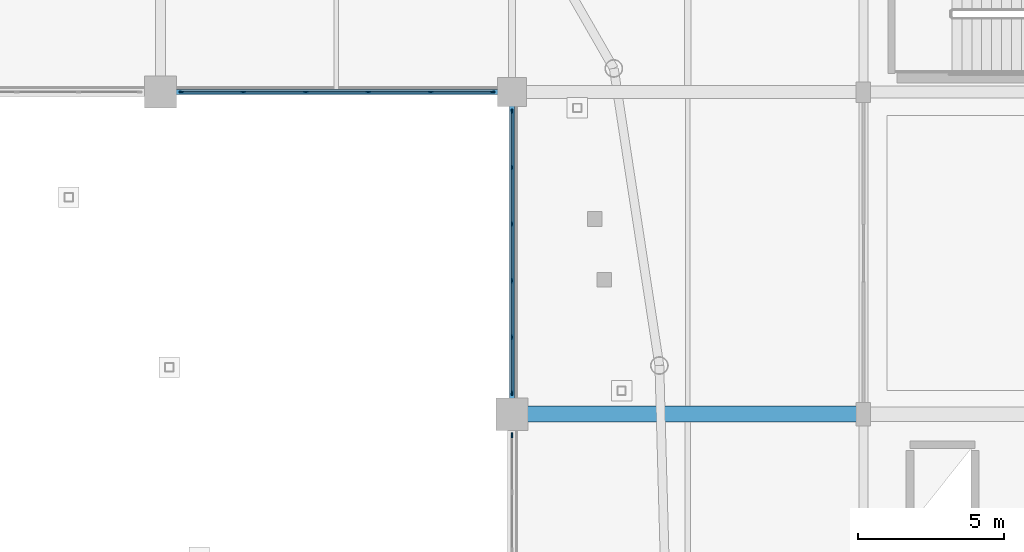
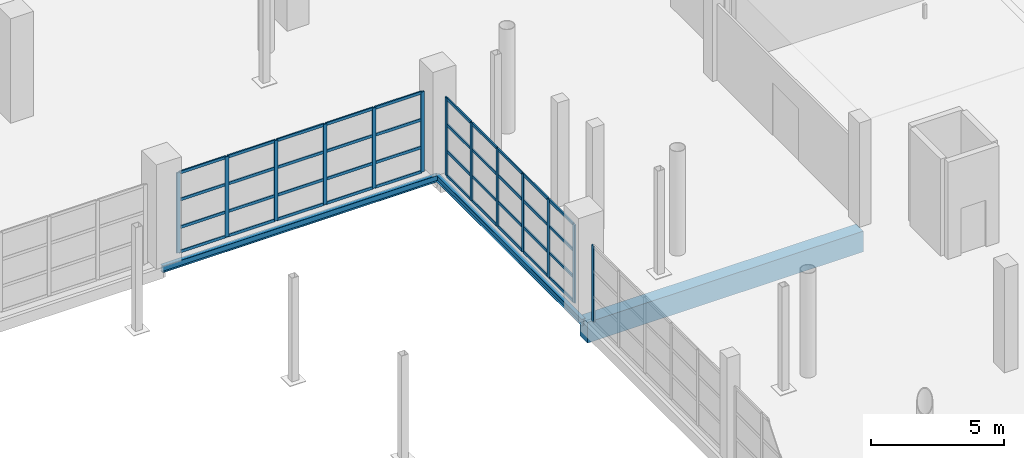
# One storey, part 64 of 143: 53 members, 3 beams, 3 elements without a shape of their own.
"""IFC4 building model written with IfcOpenShell, lengths in metres."""

from ifc_helpers import new_model, si_unit, direction, frame, origin, origin_2d, place, context, subcontext, project, spatial, rectangle, i_section, extrude, material, material_profile, profile_set, type_object, element, aggregate, save


model = new_model("IFC4")

# Units and contexts
model_context = context("Model", 3, precision=1e-05, world=origin(), true_north=direction((0.0, 1.0)))
body_context = subcontext(model_context, "Body", "Model", "MODEL_VIEW")
ifc_project = project(units=[si_unit("LENGTHUNIT", "METRE"), si_unit("AREAUNIT", "SQUARE_METRE"), si_unit("VOLUMEUNIT", "CUBIC_METRE"), si_unit("PLANEANGLEUNIT", "RADIAN"), si_unit("MASSUNIT", "GRAM", prefix="KILO")], contexts=[model_context])

# Site, building, storey
site_placement = place(None, origin())
site = spatial("IfcSite", under=ifc_project, at=site_placement, CompositionType="ELEMENT")
building_placement = place(site_placement, origin())
building = spatial("IfcBuilding", under=site, at=building_placement, Name="Luwafu Chhajja Arena", CompositionType="ELEMENT")
storey_placement = place(building_placement, frame((0.0, 0.0, 5.39990234375)))
storey = spatial("IfcBuildingStorey", under=building, at=storey_placement, Name="L01", CompositionType="ELEMENT", Elevation=5.39990234375)

# Curtain wall, members
ifc_material_1 = material(Name="Anodised bronze aluminium", Category="aluminium")
curtain_wall_type = type_object("IfcCurtainWallType", Name="Bowl Concourse Chord Curtain Wall", PredefinedType="USERDEFINED", material=ifc_material_1)
curtain_wall_1_placement = place(storey_placement, origin())
curtain_wall_1 = element("IfcCurtainWall", 1, at=curtain_wall_1_placement, inside=storey, type_object=curtain_wall_type, Name="L01 Bowl Viewing Curtain Wall CWR-L01-14", ObjectType="CURTAIN WALL", PredefinedType="USERDEFINED")
ifc_material_profile_1 = material_profile(ifc_material_1, rectangle(XDim=0.06005859375, YDim=0.159912109375, at=origin_2d()), Name="CWM 60x160")
ifc_profile_set_1 = profile_set([ifc_material_profile_1], Name="Anodised bronze aluminium")
member_type_1 = type_object("IfcMemberType", Name="Bronze Curtain Wall Mullion 60x160", PredefinedType="MULLION", material=ifc_profile_set_1)
member_1_placement = place(storey_placement, frame((128.719970703125, 77.0, 0.0), z_axis=(0.0, 0.0, 1.0), x_axis=(0.0, 1.0, 0.0)))
member_1 = element("IfcMember", 2, at=member_1_placement, type_object=member_type_1, Name="CW-01 mullion 1", PredefinedType="MULLION", context=body_context, shape_type="SweptSolid", body=[
    extrude(rectangle(XDim=0.06005859375, YDim=0.159912109375, at=origin_2d()), origin(), (0.0, 0.0, 1.0), 3.690185546875),
])
member_2_placement = place(storey_placement, frame((130.823974609375, 77.0, 0.0), z_axis=(0.0, 0.0, 1.0), x_axis=(0.0, 1.0, 0.0)))
member_2 = element("IfcMember", 3, at=member_2_placement, type_object=member_type_1, Name="CW-01 mullion 2", PredefinedType="MULLION", context=body_context, shape_type="SweptSolid", body=[
    extrude(rectangle(XDim=0.06005859375, YDim=0.159912109375, at=origin_2d()), origin(), (0.0, 0.0, 1.0), 3.690185546875),
])
member_3_placement = place(storey_placement, frame((132.9580078125, 77.0, 0.0), z_axis=(0.0, 0.0, 1.0), x_axis=(0.0, 1.0, 0.0)))
member_3 = element("IfcMember", 4, at=member_3_placement, type_object=member_type_1, Name="CW-01 mullion 3", PredefinedType="MULLION", context=body_context, shape_type="SweptSolid", body=[
    extrude(rectangle(XDim=0.06005859375, YDim=0.159912109375, at=origin_2d()), origin(), (0.0, 0.0, 1.0), 3.690185546875),
])
member_4_placement = place(storey_placement, frame((135.092041015625, 77.0, 0.0), z_axis=(0.0, 0.0, 1.0), x_axis=(0.0, 1.0, 0.0)))
member_4 = element("IfcMember", 5, at=member_4_placement, type_object=member_type_1, Name="CW-01 mullion 4", PredefinedType="MULLION", context=body_context, shape_type="SweptSolid", body=[
    extrude(rectangle(XDim=0.06005859375, YDim=0.159912109375, at=origin_2d()), origin(), (0.0, 0.0, 1.0), 3.690185546875),
])
member_5_placement = place(storey_placement, frame((137.22607421875, 77.0, 0.0), z_axis=(0.0, 0.0, 1.0), x_axis=(0.0, 1.0, 0.0)))
member_5 = element("IfcMember", 6, at=member_5_placement, type_object=member_type_1, Name="CW-01 mullion 5", PredefinedType="MULLION", context=body_context, shape_type="SweptSolid", body=[
    extrude(rectangle(XDim=0.06005859375, YDim=0.159912109375, at=origin_2d()), origin(), (0.0, 0.0, 1.0), 3.690185546875),
])
member_6_placement = place(storey_placement, frame((139.330078125, 77.0, 0.0), z_axis=(0.0, 0.0, 1.0), x_axis=(0.0, 1.0, 0.0)))
member_6 = element("IfcMember", 7, at=member_6_placement, type_object=member_type_1, Name="CW-01 mullion 6", PredefinedType="MULLION", context=body_context, shape_type="SweptSolid", body=[
    extrude(rectangle(XDim=0.06005859375, YDim=0.159912109375, at=origin_2d()), origin(), (0.0, 0.0, 1.0), 3.690185546875),
])

# Curtain wall, member
curtain_wall_2_placement = place(storey_placement, origin())
curtain_wall_2 = element("IfcCurtainWall", 8, at=curtain_wall_2_placement, inside=storey, type_object=curtain_wall_type, Name="L01 Bowl Viewing Curtain Wall CWR-L01-23", ObjectType="CURTAIN WALL", PredefinedType="USERDEFINED")
member_7_placement = place(storey_placement, frame((140.0, 65.280029296875, 0.0), z_axis=(0.0, 0.0, 1.0), x_axis=(-1.0, 0.0, 0.0)))
member_7 = element("IfcMember", 9, at=member_7_placement, type_object=member_type_1, Name="CW-01 mullion 6", PredefinedType="MULLION", context=body_context, shape_type="SweptSolid", body=[
    extrude(rectangle(XDim=0.06005859375, YDim=0.159912109375, at=origin_2d()), origin(), (0.0, 0.0, 1.0), 3.489990234375),
])
aggregate(curtain_wall_2, [member_7])

# Curtain wall, members
curtain_wall_3_placement = place(storey_placement, origin())
curtain_wall_3 = element("IfcCurtainWall", 10, at=curtain_wall_3_placement, inside=storey, type_object=curtain_wall_type, Name="L01 Bowl Viewing Curtain Wall CWR-L01-24", ObjectType="CURTAIN WALL", PredefinedType="USERDEFINED")
member_8_placement = place(storey_placement, frame((140.0, 66.719970703125, 0.0), z_axis=(0.0, 0.0, 1.0), x_axis=(-1.0, 0.0, 0.0)))
member_8 = element("IfcMember", 11, at=member_8_placement, type_object=member_type_1, Name="CW-01 mullion 1", PredefinedType="MULLION", context=body_context, shape_type="SweptSolid", body=[
    extrude(rectangle(XDim=0.06005859375, YDim=0.159912109375, at=origin_2d()), origin(), (0.0, 0.0, 1.0), 3.590087890625),
])
member_9_placement = place(storey_placement, frame((140.0, 68.6240234375, 0.0), z_axis=(0.0, 0.0, 1.0), x_axis=(-1.0, 0.0, 0.0)))
member_9 = element("IfcMember", 12, at=member_9_placement, type_object=member_type_1, Name="CW-01 mullion 2", PredefinedType="MULLION", context=body_context, shape_type="SweptSolid", body=[
    extrude(rectangle(XDim=0.06005859375, YDim=0.159912109375, at=origin_2d()), origin(), (0.0, 0.0, 1.0), 3.590087890625),
])
member_10_placement = place(storey_placement, frame((140.0, 70.55810546875, 0.0), z_axis=(0.0, 0.0, 1.0), x_axis=(-1.0, 0.0, 0.0)))
member_10 = element("IfcMember", 13, at=member_10_placement, type_object=member_type_1, Name="CW-01 mullion 3", PredefinedType="MULLION", context=body_context, shape_type="SweptSolid", body=[
    extrude(rectangle(XDim=0.06005859375, YDim=0.159912109375, at=origin_2d()), origin(), (0.0, 0.0, 1.0), 3.590087890625),
])
member_11_placement = place(storey_placement, frame((140.0, 72.491943359375, 0.0), z_axis=(0.0, 0.0, 1.0), x_axis=(-1.0, 0.0, 0.0)))
member_11 = element("IfcMember", 14, at=member_11_placement, type_object=member_type_1, Name="CW-01 mullion 4", PredefinedType="MULLION", context=body_context, shape_type="SweptSolid", body=[
    extrude(rectangle(XDim=0.06005859375, YDim=0.159912109375, at=origin_2d()), origin(), (0.0, 0.0, 1.0), 3.590087890625),
])
member_12_placement = place(storey_placement, frame((140.0, 74.426025390625, 0.0), z_axis=(0.0, 0.0, 1.0), x_axis=(-1.0, 0.0, 0.0)))
member_12 = element("IfcMember", 15, at=member_12_placement, type_object=member_type_1, Name="CW-01 mullion 5", PredefinedType="MULLION", context=body_context, shape_type="SweptSolid", body=[
    extrude(rectangle(XDim=0.06005859375, YDim=0.159912109375, at=origin_2d()), origin(), (0.0, 0.0, 1.0), 3.590087890625),
])
member_13_placement = place(storey_placement, frame((140.0, 76.330078125, 0.0), z_axis=(0.0, 0.0, 1.0), x_axis=(-1.0, 0.0, 0.0)))
member_13 = element("IfcMember", 16, at=member_13_placement, type_object=member_type_1, Name="CW-01 mullion 6", PredefinedType="MULLION", context=body_context, shape_type="SweptSolid", body=[
    extrude(rectangle(XDim=0.06005859375, YDim=0.159912109375, at=origin_2d()), origin(), (0.0, 0.0, 1.0), 3.590087890625),
])

# Member
ifc_material_profile_2 = material_profile(ifc_material_1, rectangle(XDim=0.06005859375, YDim=0.1298828125, at=origin_2d()), Name="CWT 60x130")
ifc_profile_set_2 = profile_set([ifc_material_profile_2], Name="Anodised bronze aluminium")
member_type_2 = type_object("IfcMemberType", Name="Bronze Curtain Wall Transom 60x130", PredefinedType="USERDEFINED", material=ifc_profile_set_2)
member_14_placement = place(storey_placement, frame((128.75, 77.0, 0.030029296875), z_axis=(1.0, 0.0, 0.0), x_axis=(0.0, 1.0, 0.0)))
member_14 = element("IfcMember", 17, at=member_14_placement, type_object=member_type_2, Name="CW-01 transom 1.1", ObjectType="TRANSOM", PredefinedType="USERDEFINED", context=body_context, shape_type="SweptSolid", body=[
    extrude(rectangle(XDim=0.06005859375, YDim=0.1298828125, at=origin_2d()), origin(), (0.0, 0.0, 1.0), 2.0439453125),
])

member_15_placement = place(storey_placement, frame((128.75, 77.0, 1.150146484375), z_axis=(1.0, 0.0, 0.0), x_axis=(0.0, 1.0, 0.0)))
member_15 = element("IfcMember", 18, at=member_15_placement, type_object=member_type_2, Name="CW-01 transom 1.2", ObjectType="TRANSOM", PredefinedType="USERDEFINED", context=body_context, shape_type="SweptSolid", body=[
    extrude(rectangle(XDim=0.06005859375, YDim=0.1298828125, at=origin_2d()), origin(), (0.0, 0.0, 1.0), 2.0439453125),
])

member_16_placement = place(storey_placement, frame((128.75, 77.0, 2.420166015625), z_axis=(1.0, 0.0, 0.0), x_axis=(0.0, 1.0, 0.0)))
member_16 = element("IfcMember", 19, at=member_16_placement, type_object=member_type_2, Name="CW-01 transom 1.3", ObjectType="TRANSOM", PredefinedType="USERDEFINED", context=body_context, shape_type="SweptSolid", body=[
    extrude(rectangle(XDim=0.06005859375, YDim=0.1298828125, at=origin_2d()), origin(), (0.0, 0.0, 1.0), 2.0439453125),
])

member_17_placement = place(storey_placement, frame((128.75, 77.0, 3.66015625), z_axis=(1.0, 0.0, 0.0), x_axis=(0.0, 1.0, 0.0)))
member_17 = element("IfcMember", 20, at=member_17_placement, type_object=member_type_2, Name="CW-01 transom 1.4", ObjectType="TRANSOM", PredefinedType="USERDEFINED", context=body_context, shape_type="SweptSolid", body=[
    extrude(rectangle(XDim=0.06005859375, YDim=0.1298828125, at=origin_2d()), origin(), (0.0, 0.0, 1.0), 2.0439453125),
])

member_18_placement = place(storey_placement, frame((130.85400390625, 77.0, 0.030029296875), z_axis=(1.0, 0.0, 0.0), x_axis=(0.0, 1.0, 0.0)))
member_18 = element("IfcMember", 21, at=member_18_placement, type_object=member_type_2, Name="CW-01 transom 2.1", ObjectType="TRANSOM", PredefinedType="USERDEFINED", context=body_context, shape_type="SweptSolid", body=[
    extrude(rectangle(XDim=0.06005859375, YDim=0.1298828125, at=origin_2d()), origin(), (0.0, 0.0, 1.0), 2.073974609375),
])

member_19_placement = place(storey_placement, frame((130.85400390625, 77.0, 1.150146484375), z_axis=(1.0, 0.0, 0.0), x_axis=(0.0, 1.0, 0.0)))
member_19 = element("IfcMember", 22, at=member_19_placement, type_object=member_type_2, Name="CW-01 transom 2.2", ObjectType="TRANSOM", PredefinedType="USERDEFINED", context=body_context, shape_type="SweptSolid", body=[
    extrude(rectangle(XDim=0.06005859375, YDim=0.1298828125, at=origin_2d()), origin(), (0.0, 0.0, 1.0), 2.073974609375),
])

member_20_placement = place(storey_placement, frame((130.85400390625, 77.0, 2.420166015625), z_axis=(1.0, 0.0, 0.0), x_axis=(0.0, 1.0, 0.0)))
member_20 = element("IfcMember", 23, at=member_20_placement, type_object=member_type_2, Name="CW-01 transom 2.3", ObjectType="TRANSOM", PredefinedType="USERDEFINED", context=body_context, shape_type="SweptSolid", body=[
    extrude(rectangle(XDim=0.06005859375, YDim=0.1298828125, at=origin_2d()), origin(), (0.0, 0.0, 1.0), 2.073974609375),
])

member_21_placement = place(storey_placement, frame((130.85400390625, 77.0, 3.66015625), z_axis=(1.0, 0.0, 0.0), x_axis=(0.0, 1.0, 0.0)))
member_21 = element("IfcMember", 24, at=member_21_placement, type_object=member_type_2, Name="CW-01 transom 2.4", ObjectType="TRANSOM", PredefinedType="USERDEFINED", context=body_context, shape_type="SweptSolid", body=[
    extrude(rectangle(XDim=0.06005859375, YDim=0.1298828125, at=origin_2d()), origin(), (0.0, 0.0, 1.0), 2.073974609375),
])

member_22_placement = place(storey_placement, frame((132.988037109375, 77.0, 0.030029296875), z_axis=(1.0, 0.0, 0.0), x_axis=(0.0, 1.0, 0.0)))
member_22 = element("IfcMember", 25, at=member_22_placement, type_object=member_type_2, Name="CW-01 transom 3.1", ObjectType="TRANSOM", PredefinedType="USERDEFINED", context=body_context, shape_type="SweptSolid", body=[
    extrude(rectangle(XDim=0.06005859375, YDim=0.1298828125, at=origin_2d()), origin(), (0.0, 0.0, 1.0), 2.073974609375),
])

member_23_placement = place(storey_placement, frame((132.988037109375, 77.0, 1.150146484375), z_axis=(1.0, 0.0, 0.0), x_axis=(0.0, 1.0, 0.0)))
member_23 = element("IfcMember", 26, at=member_23_placement, type_object=member_type_2, Name="CW-01 transom 3.2", ObjectType="TRANSOM", PredefinedType="USERDEFINED", context=body_context, shape_type="SweptSolid", body=[
    extrude(rectangle(XDim=0.06005859375, YDim=0.1298828125, at=origin_2d()), origin(), (0.0, 0.0, 1.0), 2.073974609375),
])

member_24_placement = place(storey_placement, frame((132.988037109375, 77.0, 2.420166015625), z_axis=(1.0, 0.0, 0.0), x_axis=(0.0, 1.0, 0.0)))
member_24 = element("IfcMember", 27, at=member_24_placement, type_object=member_type_2, Name="CW-01 transom 3.3", ObjectType="TRANSOM", PredefinedType="USERDEFINED", context=body_context, shape_type="SweptSolid", body=[
    extrude(rectangle(XDim=0.06005859375, YDim=0.1298828125, at=origin_2d()), origin(), (0.0, 0.0, 1.0), 2.073974609375),
])

member_25_placement = place(storey_placement, frame((132.988037109375, 77.0, 3.66015625), z_axis=(1.0, 0.0, 0.0), x_axis=(0.0, 1.0, 0.0)))
member_25 = element("IfcMember", 28, at=member_25_placement, type_object=member_type_2, Name="CW-01 transom 3.4", ObjectType="TRANSOM", PredefinedType="USERDEFINED", context=body_context, shape_type="SweptSolid", body=[
    extrude(rectangle(XDim=0.06005859375, YDim=0.1298828125, at=origin_2d()), origin(), (0.0, 0.0, 1.0), 2.073974609375),
])

member_26_placement = place(storey_placement, frame((135.1220703125, 77.0, 0.030029296875), z_axis=(1.0, 0.0, 0.0), x_axis=(0.0, 1.0, 0.0)))
member_26 = element("IfcMember", 29, at=member_26_placement, type_object=member_type_2, Name="CW-01 transom 4.1", ObjectType="TRANSOM", PredefinedType="USERDEFINED", context=body_context, shape_type="SweptSolid", body=[
    extrude(rectangle(XDim=0.06005859375, YDim=0.1298828125, at=origin_2d()), origin(), (0.0, 0.0, 1.0), 2.073974609375),
])

member_27_placement = place(storey_placement, frame((135.1220703125, 77.0, 1.150146484375), z_axis=(1.0, 0.0, 0.0), x_axis=(0.0, 1.0, 0.0)))
member_27 = element("IfcMember", 30, at=member_27_placement, type_object=member_type_2, Name="CW-01 transom 4.2", ObjectType="TRANSOM", PredefinedType="USERDEFINED", context=body_context, shape_type="SweptSolid", body=[
    extrude(rectangle(XDim=0.06005859375, YDim=0.1298828125, at=origin_2d()), origin(), (0.0, 0.0, 1.0), 2.073974609375),
])

member_28_placement = place(storey_placement, frame((135.1220703125, 77.0, 2.420166015625), z_axis=(1.0, 0.0, 0.0), x_axis=(0.0, 1.0, 0.0)))
member_28 = element("IfcMember", 31, at=member_28_placement, type_object=member_type_2, Name="CW-01 transom 4.3", ObjectType="TRANSOM", PredefinedType="USERDEFINED", context=body_context, shape_type="SweptSolid", body=[
    extrude(rectangle(XDim=0.06005859375, YDim=0.1298828125, at=origin_2d()), origin(), (0.0, 0.0, 1.0), 2.073974609375),
])

member_29_placement = place(storey_placement, frame((135.1220703125, 77.0, 3.66015625), z_axis=(1.0, 0.0, 0.0), x_axis=(0.0, 1.0, 0.0)))
member_29 = element("IfcMember", 32, at=member_29_placement, type_object=member_type_2, Name="CW-01 transom 4.4", ObjectType="TRANSOM", PredefinedType="USERDEFINED", context=body_context, shape_type="SweptSolid", body=[
    extrude(rectangle(XDim=0.06005859375, YDim=0.1298828125, at=origin_2d()), origin(), (0.0, 0.0, 1.0), 2.073974609375),
])

member_30_placement = place(storey_placement, frame((137.256103515625, 77.0, 0.030029296875), z_axis=(1.0, 0.0, 0.0), x_axis=(0.0, 1.0, 0.0)))
member_30 = element("IfcMember", 33, at=member_30_placement, type_object=member_type_2, Name="CW-01 transom 5.1", ObjectType="TRANSOM", PredefinedType="USERDEFINED", context=body_context, shape_type="SweptSolid", body=[
    extrude(rectangle(XDim=0.06005859375, YDim=0.1298828125, at=origin_2d()), origin(), (0.0, 0.0, 1.0), 2.0439453125),
])

member_31_placement = place(storey_placement, frame((137.256103515625, 77.0, 1.150146484375), z_axis=(1.0, 0.0, 0.0), x_axis=(0.0, 1.0, 0.0)))
member_31 = element("IfcMember", 34, at=member_31_placement, type_object=member_type_2, Name="CW-01 transom 5.2", ObjectType="TRANSOM", PredefinedType="USERDEFINED", context=body_context, shape_type="SweptSolid", body=[
    extrude(rectangle(XDim=0.06005859375, YDim=0.1298828125, at=origin_2d()), origin(), (0.0, 0.0, 1.0), 2.0439453125),
])

member_32_placement = place(storey_placement, frame((137.256103515625, 77.0, 2.420166015625), z_axis=(1.0, 0.0, 0.0), x_axis=(0.0, 1.0, 0.0)))
member_32 = element("IfcMember", 35, at=member_32_placement, type_object=member_type_2, Name="CW-01 transom 5.3", ObjectType="TRANSOM", PredefinedType="USERDEFINED", context=body_context, shape_type="SweptSolid", body=[
    extrude(rectangle(XDim=0.06005859375, YDim=0.1298828125, at=origin_2d()), origin(), (0.0, 0.0, 1.0), 2.0439453125),
])

member_33_placement = place(storey_placement, frame((137.256103515625, 77.0, 3.66015625), z_axis=(1.0, 0.0, 0.0), x_axis=(0.0, 1.0, 0.0)))
member_33 = element("IfcMember", 36, at=member_33_placement, type_object=member_type_2, Name="CW-01 transom 5.4", ObjectType="TRANSOM", PredefinedType="USERDEFINED", context=body_context, shape_type="SweptSolid", body=[
    extrude(rectangle(XDim=0.06005859375, YDim=0.1298828125, at=origin_2d()), origin(), (0.0, 0.0, 1.0), 2.0439453125),
])

aggregate(curtain_wall_1, [member_1, member_2, member_3, member_4, member_5, member_6, member_14, member_15, member_16, member_17, member_18, member_19, member_20, member_21, member_22, member_23, member_24, member_25, member_26, member_27, member_28, member_29, member_30, member_31, member_32, member_33])

member_34_placement = place(storey_placement, frame((140.0, 66.75, 0.030029296875), z_axis=(0.0, 1.0, 0.0), x_axis=(-1.0, 0.0, 0.0)))
member_34 = element("IfcMember", 37, at=member_34_placement, type_object=member_type_2, Name="CW-01 transom 1.1", ObjectType="TRANSOM", PredefinedType="USERDEFINED", context=body_context, shape_type="SweptSolid", body=[
    extrude(rectangle(XDim=0.06005859375, YDim=0.1298828125, at=origin_2d()), origin(), (0.0, 0.0, 1.0), 1.843994140625),
])

member_35_placement = place(storey_placement, frame((140.0, 66.75, 1.150146484375), z_axis=(0.0, 1.0, 0.0), x_axis=(-1.0, 0.0, 0.0)))
member_35 = element("IfcMember", 38, at=member_35_placement, type_object=member_type_2, Name="CW-01 transom 1.2", ObjectType="TRANSOM", PredefinedType="USERDEFINED", context=body_context, shape_type="SweptSolid", body=[
    extrude(rectangle(XDim=0.06005859375, YDim=0.1298828125, at=origin_2d()), origin(), (0.0, 0.0, 1.0), 1.843994140625),
])

member_36_placement = place(storey_placement, frame((140.0, 66.75, 2.3701171875), z_axis=(0.0, 1.0, 0.0), x_axis=(-1.0, 0.0, 0.0)))
member_36 = element("IfcMember", 39, at=member_36_placement, type_object=member_type_2, Name="CW-01 transom 1.3", ObjectType="TRANSOM", PredefinedType="USERDEFINED", context=body_context, shape_type="SweptSolid", body=[
    extrude(rectangle(XDim=0.06005859375, YDim=0.1298828125, at=origin_2d()), origin(), (0.0, 0.0, 1.0), 1.843994140625),
])

member_37_placement = place(storey_placement, frame((140.0, 66.75, 3.56005859375), z_axis=(0.0, 1.0, 0.0), x_axis=(-1.0, 0.0, 0.0)))
member_37 = element("IfcMember", 40, at=member_37_placement, type_object=member_type_2, Name="CW-01 transom 1.4", ObjectType="TRANSOM", PredefinedType="USERDEFINED", context=body_context, shape_type="SweptSolid", body=[
    extrude(rectangle(XDim=0.06005859375, YDim=0.1298828125, at=origin_2d()), origin(), (0.0, 0.0, 1.0), 1.843994140625),
])

member_38_placement = place(storey_placement, frame((140.0, 68.654052734375, 0.030029296875), z_axis=(0.0, 1.0, 0.0), x_axis=(-1.0, 0.0, 0.0)))
member_38 = element("IfcMember", 41, at=member_38_placement, type_object=member_type_2, Name="CW-01 transom 2.1", ObjectType="TRANSOM", PredefinedType="USERDEFINED", context=body_context, shape_type="SweptSolid", body=[
    extrude(rectangle(XDim=0.06005859375, YDim=0.1298828125, at=origin_2d()), origin(), (0.0, 0.0, 1.0), 1.8740234375),
])

member_39_placement = place(storey_placement, frame((140.0, 68.654052734375, 1.150146484375), z_axis=(0.0, 1.0, 0.0), x_axis=(-1.0, 0.0, 0.0)))
member_39 = element("IfcMember", 42, at=member_39_placement, type_object=member_type_2, Name="CW-01 transom 2.2", ObjectType="TRANSOM", PredefinedType="USERDEFINED", context=body_context, shape_type="SweptSolid", body=[
    extrude(rectangle(XDim=0.06005859375, YDim=0.1298828125, at=origin_2d()), origin(), (0.0, 0.0, 1.0), 1.8740234375),
])

member_40_placement = place(storey_placement, frame((140.0, 68.654052734375, 2.3701171875), z_axis=(0.0, 1.0, 0.0), x_axis=(-1.0, 0.0, 0.0)))
member_40 = element("IfcMember", 43, at=member_40_placement, type_object=member_type_2, Name="CW-01 transom 2.3", ObjectType="TRANSOM", PredefinedType="USERDEFINED", context=body_context, shape_type="SweptSolid", body=[
    extrude(rectangle(XDim=0.06005859375, YDim=0.1298828125, at=origin_2d()), origin(), (0.0, 0.0, 1.0), 1.8740234375),
])

member_41_placement = place(storey_placement, frame((140.0, 68.654052734375, 3.56005859375), z_axis=(0.0, 1.0, 0.0), x_axis=(-1.0, 0.0, 0.0)))
member_41 = element("IfcMember", 44, at=member_41_placement, type_object=member_type_2, Name="CW-01 transom 2.4", ObjectType="TRANSOM", PredefinedType="USERDEFINED", context=body_context, shape_type="SweptSolid", body=[
    extrude(rectangle(XDim=0.06005859375, YDim=0.1298828125, at=origin_2d()), origin(), (0.0, 0.0, 1.0), 1.8740234375),
])

member_42_placement = place(storey_placement, frame((140.0, 70.587890625, 0.030029296875), z_axis=(0.0, 1.0, 0.0), x_axis=(-1.0, 0.0, 0.0)))
member_42 = element("IfcMember", 45, at=member_42_placement, type_object=member_type_2, Name="CW-01 transom 3.1", ObjectType="TRANSOM", PredefinedType="USERDEFINED", context=body_context, shape_type="SweptSolid", body=[
    extrude(rectangle(XDim=0.06005859375, YDim=0.1298828125, at=origin_2d()), origin(), (0.0, 0.0, 1.0), 1.8740234375),
])

member_43_placement = place(storey_placement, frame((140.0, 70.587890625, 1.150146484375), z_axis=(0.0, 1.0, 0.0), x_axis=(-1.0, 0.0, 0.0)))
member_43 = element("IfcMember", 46, at=member_43_placement, type_object=member_type_2, Name="CW-01 transom 3.2", ObjectType="TRANSOM", PredefinedType="USERDEFINED", context=body_context, shape_type="SweptSolid", body=[
    extrude(rectangle(XDim=0.06005859375, YDim=0.1298828125, at=origin_2d()), origin(), (0.0, 0.0, 1.0), 1.8740234375),
])

member_44_placement = place(storey_placement, frame((140.0, 70.587890625, 2.3701171875), z_axis=(0.0, 1.0, 0.0), x_axis=(-1.0, 0.0, 0.0)))
member_44 = element("IfcMember", 47, at=member_44_placement, type_object=member_type_2, Name="CW-01 transom 3.3", ObjectType="TRANSOM", PredefinedType="USERDEFINED", context=body_context, shape_type="SweptSolid", body=[
    extrude(rectangle(XDim=0.06005859375, YDim=0.1298828125, at=origin_2d()), origin(), (0.0, 0.0, 1.0), 1.8740234375),
])

member_45_placement = place(storey_placement, frame((140.0, 70.587890625, 3.56005859375), z_axis=(0.0, 1.0, 0.0), x_axis=(-1.0, 0.0, 0.0)))
member_45 = element("IfcMember", 48, at=member_45_placement, type_object=member_type_2, Name="CW-01 transom 3.4", ObjectType="TRANSOM", PredefinedType="USERDEFINED", context=body_context, shape_type="SweptSolid", body=[
    extrude(rectangle(XDim=0.06005859375, YDim=0.1298828125, at=origin_2d()), origin(), (0.0, 0.0, 1.0), 1.8740234375),
])

member_46_placement = place(storey_placement, frame((140.0, 72.52197265625, 0.030029296875), z_axis=(0.0, 1.0, 0.0), x_axis=(-1.0, 0.0, 0.0)))
member_46 = element("IfcMember", 49, at=member_46_placement, type_object=member_type_2, Name="CW-01 transom 4.1", ObjectType="TRANSOM", PredefinedType="USERDEFINED", context=body_context, shape_type="SweptSolid", body=[
    extrude(rectangle(XDim=0.06005859375, YDim=0.1298828125, at=origin_2d()), origin(), (0.0, 0.0, 1.0), 1.8740234375),
])

member_47_placement = place(storey_placement, frame((140.0, 72.52197265625, 1.150146484375), z_axis=(0.0, 1.0, 0.0), x_axis=(-1.0, 0.0, 0.0)))
member_47 = element("IfcMember", 50, at=member_47_placement, type_object=member_type_2, Name="CW-01 transom 4.2", ObjectType="TRANSOM", PredefinedType="USERDEFINED", context=body_context, shape_type="SweptSolid", body=[
    extrude(rectangle(XDim=0.06005859375, YDim=0.1298828125, at=origin_2d()), origin(), (0.0, 0.0, 1.0), 1.8740234375),
])

member_48_placement = place(storey_placement, frame((140.0, 72.52197265625, 2.3701171875), z_axis=(0.0, 1.0, 0.0), x_axis=(-1.0, 0.0, 0.0)))
member_48 = element("IfcMember", 51, at=member_48_placement, type_object=member_type_2, Name="CW-01 transom 4.3", ObjectType="TRANSOM", PredefinedType="USERDEFINED", context=body_context, shape_type="SweptSolid", body=[
    extrude(rectangle(XDim=0.06005859375, YDim=0.1298828125, at=origin_2d()), origin(), (0.0, 0.0, 1.0), 1.8740234375),
])

member_49_placement = place(storey_placement, frame((140.0, 72.52197265625, 3.56005859375), z_axis=(0.0, 1.0, 0.0), x_axis=(-1.0, 0.0, 0.0)))
member_49 = element("IfcMember", 52, at=member_49_placement, type_object=member_type_2, Name="CW-01 transom 4.4", ObjectType="TRANSOM", PredefinedType="USERDEFINED", context=body_context, shape_type="SweptSolid", body=[
    extrude(rectangle(XDim=0.06005859375, YDim=0.1298828125, at=origin_2d()), origin(), (0.0, 0.0, 1.0), 1.8740234375),
])

member_50_placement = place(storey_placement, frame((140.0, 74.4560546875, 0.030029296875), z_axis=(0.0, 1.0, 0.0), x_axis=(-1.0, 0.0, 0.0)))
member_50 = element("IfcMember", 53, at=member_50_placement, type_object=member_type_2, Name="CW-01 transom 5.1", ObjectType="TRANSOM", PredefinedType="USERDEFINED", context=body_context, shape_type="SweptSolid", body=[
    extrude(rectangle(XDim=0.06005859375, YDim=0.1298828125, at=origin_2d()), origin(), (0.0, 0.0, 1.0), 1.843994140625),
])

member_51_placement = place(storey_placement, frame((140.0, 74.4560546875, 1.150146484375), z_axis=(0.0, 1.0, 0.0), x_axis=(-1.0, 0.0, 0.0)))
member_51 = element("IfcMember", 54, at=member_51_placement, type_object=member_type_2, Name="CW-01 transom 5.2", ObjectType="TRANSOM", PredefinedType="USERDEFINED", context=body_context, shape_type="SweptSolid", body=[
    extrude(rectangle(XDim=0.06005859375, YDim=0.1298828125, at=origin_2d()), origin(), (0.0, 0.0, 1.0), 1.843994140625),
])

member_52_placement = place(storey_placement, frame((140.0, 74.4560546875, 2.3701171875), z_axis=(0.0, 1.0, 0.0), x_axis=(-1.0, 0.0, 0.0)))
member_52 = element("IfcMember", 55, at=member_52_placement, type_object=member_type_2, Name="CW-01 transom 5.3", ObjectType="TRANSOM", PredefinedType="USERDEFINED", context=body_context, shape_type="SweptSolid", body=[
    extrude(rectangle(XDim=0.06005859375, YDim=0.1298828125, at=origin_2d()), origin(), (0.0, 0.0, 1.0), 1.843994140625),
])

member_53_placement = place(storey_placement, frame((140.0, 74.4560546875, 3.56005859375), z_axis=(0.0, 1.0, 0.0), x_axis=(-1.0, 0.0, 0.0)))
member_53 = element("IfcMember", 56, at=member_53_placement, type_object=member_type_2, Name="CW-01 transom 5.4", ObjectType="TRANSOM", PredefinedType="USERDEFINED", context=body_context, shape_type="SweptSolid", body=[
    extrude(rectangle(XDim=0.06005859375, YDim=0.1298828125, at=origin_2d()), origin(), (0.0, 0.0, 1.0), 1.843994140625),
])

aggregate(curtain_wall_3, [member_8, member_9, member_10, member_11, member_12, member_13, member_34, member_35, member_36, member_37, member_38, member_39, member_40, member_41, member_42, member_43, member_44, member_45, member_46, member_47, member_48, member_49, member_50, member_51, member_52, member_53])

# Beams
ifc_material_2 = material(Name="Steel S355", Category="steel")
ifc_material_profile_3 = material_profile(ifc_material_2, i_section(OverallWidth=0.165771484375, OverallDepth=0.306640625, WebThickness=0.006591796875, FlangeThickness=0.01171875, at=origin_2d()), Name="UB 305x165x46")
ifc_profile_set_3 = profile_set([ifc_material_profile_3], Name="Steel S355")
beam_type_1 = type_object("IfcBeamType", Name="Concourse Edge Spandrel Beam UB 305x165x46", PredefinedType="SPANDREL", material=ifc_profile_set_3)
beam_1_placement = place(storey_placement, frame((128.0, 77.0, -0.483154296875), z_axis=(1.0, 0.0, 0.0), x_axis=(0.0, 1.0, 0.0)))
element("IfcBeam", 57, at=beam_1_placement, inside=storey, type_object=beam_type_1, Name="L01 Grid Beam 12-13/H", PredefinedType="SPANDREL", context=body_context, shape_type="SweptSolid", body=[
    extrude(i_section(OverallWidth=0.165771484375, OverallDepth=0.306640625, WebThickness=0.006591796875, FlangeThickness=0.01171875, at=origin_2d()), origin(), (0.0, 0.0, 1.0), 12.0),
])
beam_2_placement = place(storey_placement, frame((140.0, 66.0, -0.483154296875), z_axis=(0.0, 1.0, 0.0), x_axis=(-1.0, 0.0, 0.0)))
element("IfcBeam", 58, at=beam_2_placement, inside=storey, type_object=beam_type_1, Name="L01 Grid Beam 13/G-H", PredefinedType="SPANDREL", context=body_context, shape_type="SweptSolid", body=[
    extrude(i_section(OverallWidth=0.165771484375, OverallDepth=0.306640625, WebThickness=0.006591796875, FlangeThickness=0.01171875, at=origin_2d()), origin(), (0.0, 0.0, 1.0), 11.0),
])
ifc_material_3 = material(Name="Concrete C35/45", Category="concrete")
ifc_material_profile_4 = material_profile(ifc_material_3, rectangle(XDim=0.550048828125, YDim=0.949951171875, at=origin_2d()), Name="RC 550x950")
ifc_profile_set_4 = profile_set([ifc_material_profile_4], Name="Concrete C35/45")
beam_type_2 = type_object("IfcBeamType", Name="Concourse Radial Girder RC 550x950", PredefinedType="BEAM", material=ifc_profile_set_4)
beam_3_placement = place(storey_placement, frame((140.0, 66.0, -0.804931640625), z_axis=(1.0, 0.0, 0.0), x_axis=(0.0, 1.0, 0.0)))
element("IfcBeam", 59, at=beam_3_placement, inside=storey, type_object=beam_type_2, Name="L01 Grid Beam 13-14/G", PredefinedType="BEAM", context=body_context, shape_type="SweptSolid", body=[
    extrude(rectangle(XDim=0.550048828125, YDim=0.949951171875, at=origin_2d()), origin(), (0.0, 0.0, 1.0), 12.0),
])

save(model, "model.ifc")
